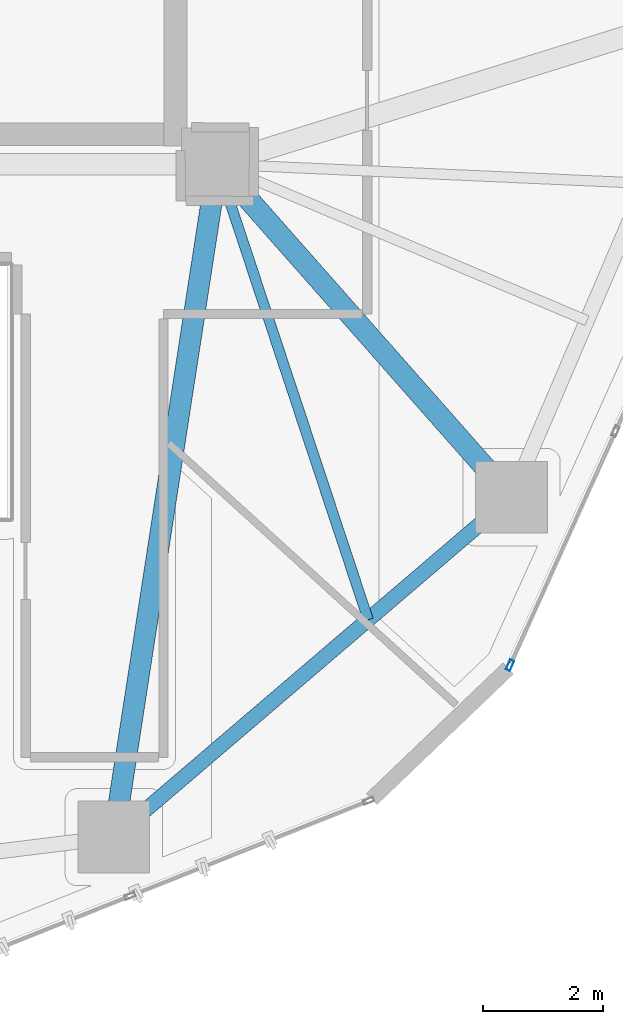
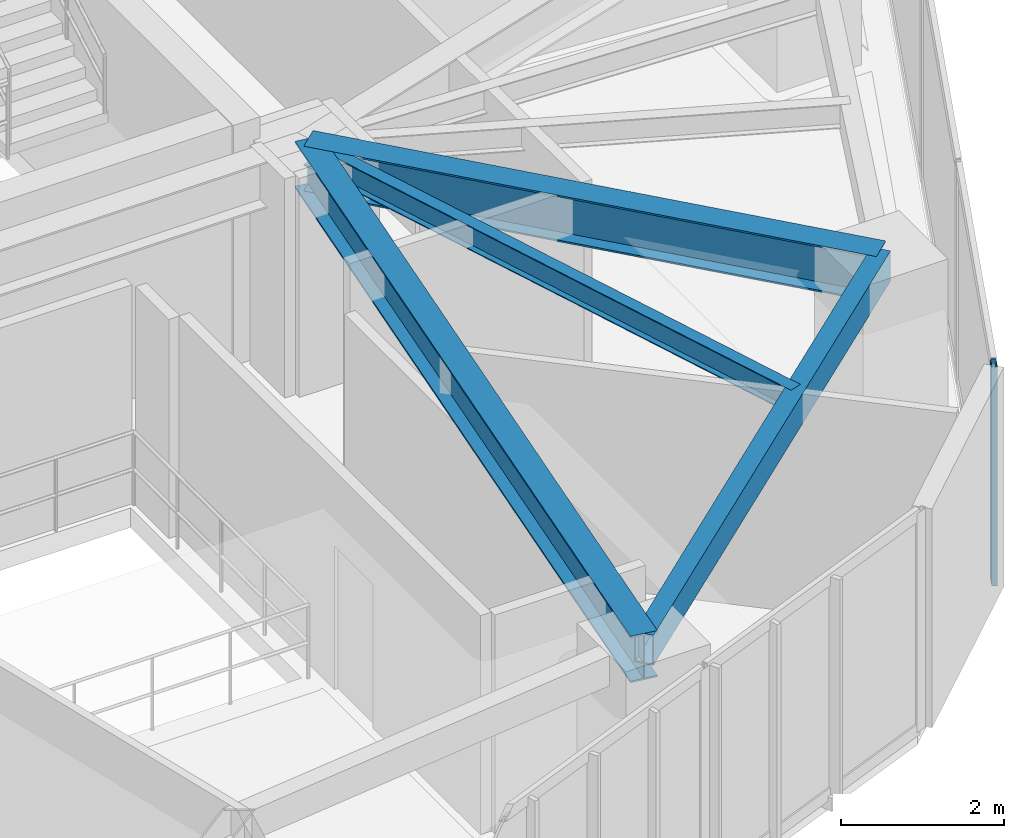
# One storey, part 6 of 22: 4 beams, 1 member, 1 element without a shape of its own.
"""IFC4 building model written with IfcOpenShell, lengths in metres."""

from ifc_helpers import new_model, si_unit, direction, frame, origin, origin_2d, place, context, subcontext, project, spatial, hollow_rectangle, i_section, extrude, source, transform, mapped, material, layer, layer_set, material_profile, profile_set, type_object, type_shapes, element, aggregate, save


model = new_model("IFC4")

# Units and contexts
model_context = context("Model", 3, precision=1e-05, world=origin(), true_north=direction((0.0, 1.0)))
body_context = subcontext(model_context, "Body", "Model", "MODEL_VIEW")
ifc_project = project(units=[si_unit("LENGTHUNIT", "METRE"), si_unit("AREAUNIT", "SQUARE_METRE"), si_unit("VOLUMEUNIT", "CUBIC_METRE"), si_unit("PLANEANGLEUNIT", "RADIAN"), si_unit("MASSUNIT", "GRAM", prefix="KILO")], contexts=[model_context])

# Site, building, storey
site_placement = place(None, origin())
site = spatial("IfcSite", under=ifc_project, at=site_placement, CompositionType="ELEMENT")
building_placement = place(site_placement, origin())
building = spatial("IfcBuilding", under=site, at=building_placement, Name="Talar Marvaseh", CompositionType="ELEMENT")
storey_placement = place(building_placement, frame((0.0, 0.0, 154.199951171875)))
storey = spatial("IfcBuildingStorey", under=building, at=storey_placement, Name="L40", CompositionType="ELEMENT", Elevation=154.199951171875)

# Beams
ifc_material_1 = material(Name="Steel S355", Category="steel")
ifc_material_profile_1 = material_profile(ifc_material_1, hollow_rectangle(XDim=0.25, YDim=0.449951171875, WallThickness=0.01611328125, at=origin_2d()), Name="RHS450x250x16")
ifc_profile_set_1 = profile_set([ifc_material_profile_1], Name="Steel S355")
beam_type_1 = type_object("IfcBeamType", Name="Zone 2 Perimeter Spandrel Beam RHS450x250x16", PredefinedType="SPANDREL", material=ifc_profile_set_1)
beam_1_placement = place(storey_placement, frame((38.2060546875, 19.94091796875, 3.054931640625), z_axis=(-0.76011265597, -0.649791312833, 0.0), x_axis=(0.649791312833, -0.76011265597, 0.0)))
element("IfcBeam", 1, at=beam_1_placement, inside=storey, type_object=beam_type_1, Name="L40 Zone 2 Perimeter Spandrel Beam RHS450x250x16", PredefinedType="SPANDREL", context=body_context, shape_type="SweptSolid", body=[
    extrude(hollow_rectangle(XDim=0.25, YDim=0.449951171875, WallThickness=0.01611328125, at=origin_2d()), origin(), (0.0, 0.0, 1.0), 8.730224609375),
])
ifc_material_profile_2 = material_profile(ifc_material_1, i_section(OverallWidth=0.35498046875, OverallDepth=0.695068359375, WebThickness=0.015380859375, FlangeThickness=0.02490234375, at=origin_2d()), Name="W690x217")
ifc_profile_set_2 = profile_set([ifc_material_profile_2], Name="Steel S355")
beam_type_2 = type_object("IfcBeamType", Name="Zone 2 Radial Floor Girder W690x217", PredefinedType="BEAM", material=ifc_profile_set_2)
beam_2_placement = place(storey_placement, frame((38.2060546875, 19.94091796875, 2.9326171875), z_axis=(-0.661692423388, 0.749775390921, 0.0), x_axis=(-0.749775390921, -0.661692423388, 0.0)))
element("IfcBeam", 2, at=beam_2_placement, inside=storey, type_object=beam_type_2, Name="L40 Zone 2 Radial Floor Girder W690x217", PredefinedType="BEAM", context=body_context, shape_type="SweptSolid", body=[
    extrude(i_section(OverallWidth=0.35498046875, OverallDepth=0.695068359375, WebThickness=0.015380859375, FlangeThickness=0.02490234375, at=origin_2d()), origin(), (0.0, 0.0, 1.0), 7.414306640625),
])
beam_3_placement = place(storey_placement, frame((31.570068359375, 14.26806640625, 2.9326171875), z_axis=(0.152228300633, 0.98834535689, 0.0), x_axis=(-0.98834535689, 0.152228300633, 0.0)))
element("IfcBeam", 3, at=beam_3_placement, inside=storey, type_object=beam_type_2, Name="L40 Zone 2 Radial Floor Girder W690x217", PredefinedType="BEAM", context=body_context, shape_type="SweptSolid", body=[
    extrude(i_section(OverallWidth=0.35498046875, OverallDepth=0.695068359375, WebThickness=0.015380859375, FlangeThickness=0.02490234375, at=origin_2d()), origin(), (0.0, 0.0, 1.0), 11.364501953125),
])
ifc_material_profile_3 = material_profile(ifc_material_1, i_section(OverallWidth=0.172119140625, OverallDepth=0.35791015625, WebThickness=0.0078125, FlangeThickness=0.01318359375, at=origin_2d()), Name="W360x57")
ifc_profile_set_3 = profile_set([ifc_material_profile_3], Name="Steel S355")
beam_type_3 = type_object("IfcBeamType", Name="Zone 2 Secondary Floor Joist W360x57", PredefinedType="JOIST", material=ifc_profile_set_3)
beam_4_placement = place(storey_placement, frame((35.81689453125, 17.898681640625, 3.10107421875), z_axis=(-0.314324535154, 0.949315588516, 0.0), x_axis=(-0.949315588516, -0.314324535154, 0.0)))
element("IfcBeam", 4, at=beam_4_placement, inside=storey, type_object=beam_type_3, Name="L40 Zone 2 Secondary Floor Joist W360x57", PredefinedType="JOIST", context=body_context, shape_type="SweptSolid", body=[
    extrude(i_section(OverallWidth=0.172119140625, OverallDepth=0.35791015625, WebThickness=0.0078125, FlangeThickness=0.01318359375, at=origin_2d()), origin(), (0.0, 0.0, 1.0), 8.007080078125),
])

# Curtain wall, member
ifc_material_2 = material(Name="Architectural Aluminium", Category="aluminium")
ifc_layer = layer(ifc_material_2, 0.199951171875)
ifc_layer_set = layer_set([ifc_layer], Name="Architectural Aluminium")
curtain_wall_type = type_object("IfcCurtainWallType", Name="Unitised Acoustic Library Curtain Wall Z2", PredefinedType="NOTDEFINED", material=ifc_layer_set)
curtain_wall_placement = place(storey_placement, origin())
curtain_wall = element("IfcCurtainWall", 5, at=curtain_wall_placement, inside=storey, type_object=curtain_wall_type, Name="L40 Unitised Acoustic Library Curtain Wall Z2", PredefinedType="NOTDEFINED")
ifc_material_profile_4 = material_profile(ifc_material_2, hollow_rectangle(XDim=0.074951171875, YDim=0.179931640625, WallThickness=0.0048828125, at=origin_2d()), Name="RHS180x75x5")
ifc_profile_set_4 = profile_set([ifc_material_profile_4], Name="Architectural Aluminium")
member_type = type_object("IfcMemberType", Name="Unitised Curtain Wall Standard Mullion RHS180x75x5", PredefinedType="MULLION", material=ifc_profile_set_4)
shared_shape = source(origin(), body_context, "Body", "SweptSolid", [
    extrude(hollow_rectangle(XDim=0.074951171875, YDim=0.179931640625, WallThickness=0.0048828125, at=origin_2d()), origin(), (0.0, 0.0, 1.0), 3.280029296875),
])
type_shapes(member_type, [shared_shape])
member_placement = place(storey_placement, frame((38.184326171875, 17.135986328125, 0.0), z_axis=(0.0, 0.0, 1.0), x_axis=(0.911697367149, -0.410862398783, 0.0)))
member = element("IfcMember", 6, at=member_placement, type_object=member_type, Name="CW-Z2 mullion 6", PredefinedType="MULLION", context=body_context, shape_type="MappedRepresentation", body=[
    mapped(shared_shape, transform((0.0, 0.0, 0.0), x_axis=(1.0, 0.0, 0.0), y_axis=(0.0, 1.0, 0.0), z_axis=(0.0, 0.0, 1.0), scale=1.0)),
])
aggregate(curtain_wall, [member])

save(model, "model.ifc")
